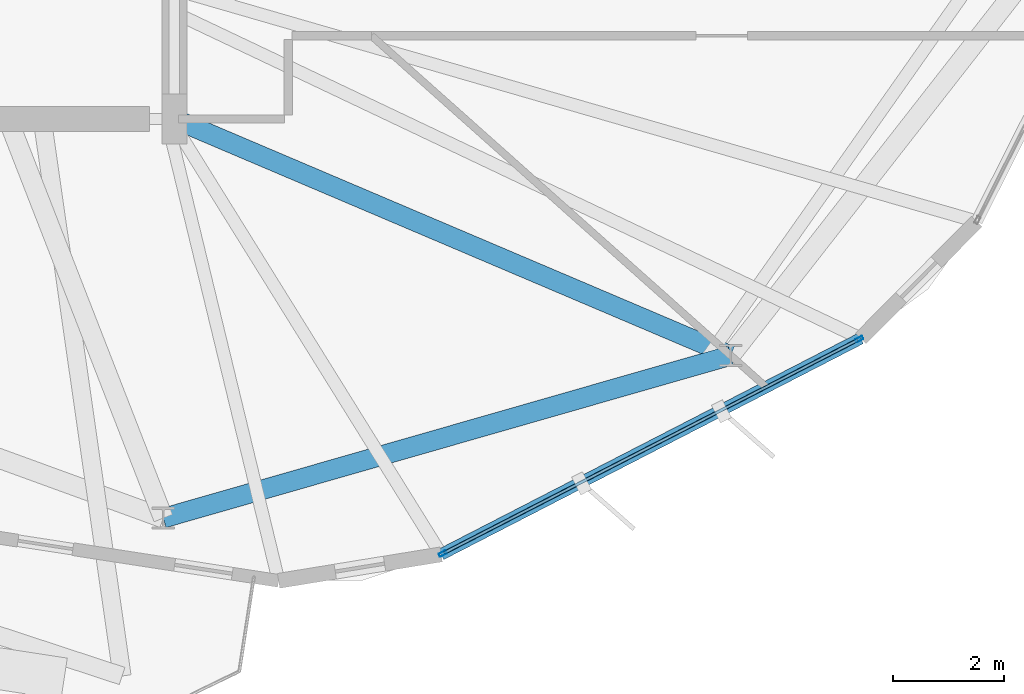
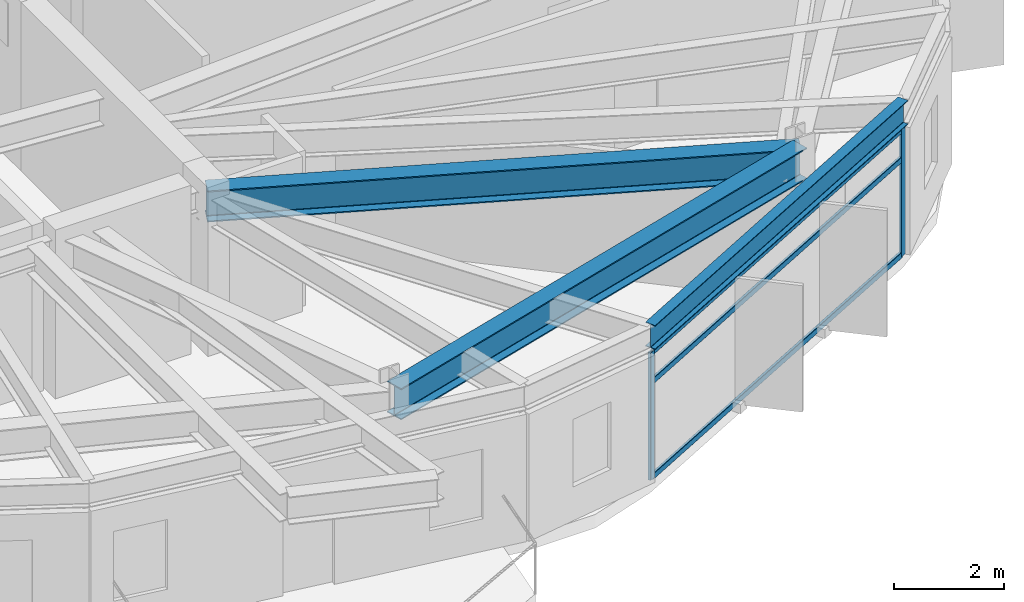
# One storey, part 5 of 22: 5 members, 3 beams, 1 element without a shape of its own.
"""IFC4 building model written with IfcOpenShell, lengths in metres."""

from ifc_helpers import new_model, si_unit, direction, frame, origin, origin_2d, place, context, subcontext, project, spatial, hollow_rectangle, i_section, extrude, material, layer, layer_set, material_profile, profile_set, type_object, element, aggregate, save


model = new_model("IFC4")

# Units and contexts
model_context = context("Model", 3, precision=1e-05, world=origin(), true_north=direction((0.0, 1.0)))
body_context = subcontext(model_context, "Body", "Model", "MODEL_VIEW")
ifc_project = project(units=[si_unit("LENGTHUNIT", "METRE"), si_unit("AREAUNIT", "SQUARE_METRE"), si_unit("VOLUMEUNIT", "CUBIC_METRE"), si_unit("PLANEANGLEUNIT", "RADIAN"), si_unit("MASSUNIT", "GRAM", prefix="KILO")], contexts=[model_context])

# Site, building, storey
site_placement = place(None, origin())
site = spatial("IfcSite", under=ifc_project, at=site_placement, CompositionType="ELEMENT")
building_placement = place(site_placement, origin())
building = spatial("IfcBuilding", under=site, at=building_placement, Name="Soratama Intermodal Tower", CompositionType="ELEMENT")
storey_placement = place(building_placement, frame((0.0, 0.0, 265.0)))
storey = spatial("IfcBuildingStorey", under=building, at=storey_placement, Name="L67", CompositionType="ELEMENT", Elevation=265.0)

# Beams
ifc_material_1 = material(Name="Structural steel ASTM A992 Grade 50", Category="steel")
ifc_material_profile_1 = material_profile(ifc_material_1, i_section(OverallWidth=0.35498046875, OverallDepth=0.695068359375, WebThickness=0.015380859375, FlangeThickness=0.02490234375, FilletRadius=0.01611328125, at=origin_2d()), Name="W27X146")
ifc_profile_set_1 = profile_set([ifc_material_profile_1], Name="Structural steel ASTM A992 Grade 50")
beam_type_1 = type_object("IfcBeamType", Name="BM-RING-W27X146", PredefinedType="BEAM", material=ifc_profile_set_1)
beam_1_placement = place(storey_placement, frame((44.39990234375, 7.81103515625, 3.1025390625), z_axis=(0.961262636932, 0.27563407416, 0.0), x_axis=(-0.27563407416, 0.961262636932, 0.0)))
element("IfcBeam", 1, at=beam_1_placement, inside=storey, type_object=beam_type_1, Name="BM-L67-RING-08", PredefinedType="BEAM", context=body_context, shape_type="SweptSolid", body=[
    extrude(i_section(OverallWidth=0.35498046875, OverallDepth=0.695068359375, WebThickness=0.015380859375, FlangeThickness=0.02490234375, FilletRadius=0.01611328125, at=origin_2d()), origin(), (0.0, 0.0, 1.0), 10.6298828125),
])
beam_2_placement = place(storey_placement, frame((44.60009765625, 15.0, 3.1025390625), z_axis=(0.920282671955, -0.391254142087, 0.0), x_axis=(0.391254142087, 0.920282671955, 0.0)))
element("IfcBeam", 2, at=beam_2_placement, inside=storey, type_object=beam_type_1, Name="BM-L67-RAD-09", PredefinedType="BEAM", context=body_context, shape_type="SweptSolid", body=[
    extrude(i_section(OverallWidth=0.35498046875, OverallDepth=0.695068359375, WebThickness=0.015380859375, FlangeThickness=0.02490234375, FilletRadius=0.01611328125, at=origin_2d()), origin(), (0.0, 0.0, 1.0), 10.885498046875),
])
ifc_material_2 = material(Name="Structural steel ASTM A992 Grade 50", Category="steel")
ifc_material_profile_2 = material_profile(ifc_material_2, i_section(OverallWidth=0.2099609375, OverallDepth=0.537109375, WebThickness=0.010986328125, FlangeThickness=0.017333984375, FilletRadius=0.012939453125, at=origin_2d()), Name="W21X68")
ifc_profile_set_2 = profile_set([ifc_material_profile_2], Name="Structural steel ASTM A992 Grade 50")
beam_type_2 = type_object("IfcBeamType", Name="BM-SPN-W21X68", PredefinedType="SPANDREL", material=ifc_profile_set_2)
beam_3_placement = place(storey_placement, frame((49.405029296875, 7.157958984375, 3.181396484375), z_axis=(0.889108822859, 0.457695860932, 0.0), x_axis=(-0.457695860932, 0.889108822859, 0.0)))
element("IfcBeam", 3, at=beam_3_placement, inside=storey, type_object=beam_type_2, Name="BS-L67-F07", PredefinedType="SPANDREL", context=body_context, shape_type="SweptSolid", body=[
    extrude(i_section(OverallWidth=0.2099609375, OverallDepth=0.537109375, WebThickness=0.010986328125, FlangeThickness=0.017333984375, FilletRadius=0.012939453125, at=origin_2d()), origin(), (0.0, 0.0, 1.0), 8.49951171875),
])

# Curtain wall, members
ifc_material_3 = material(Name="Double-glazed aluminium curtain wall", Category="aluminium")
ifc_layer = layer(ifc_material_3, 0.159912109375)
ifc_layer_set = layer_set([ifc_layer], Name="Double-glazed aluminium curtain wall")
curtain_wall_type = type_object("IfcCurtainWallType", Name="CW-SYS-5", PredefinedType="NOTDEFINED", material=ifc_layer_set)
curtain_wall_placement = place(storey_placement, origin())
curtain_wall = element("IfcCurtainWall", 4, at=curtain_wall_placement, inside=storey, type_object=curtain_wall_type, Name="L67 Faceted Curtain Wall F07", PredefinedType="NOTDEFINED")
ifc_material_4 = material(Name="Anodised aluminium AA 6063-T6", Category="aluminium")
ifc_material_profile_3 = material_profile(ifc_material_4, hollow_rectangle(XDim=0.06494140625, YDim=0.139892578125, WallThickness=0.0048828125, InnerFilletRadius=0.0048828125, OuterFilletRadius=0.010009765625, at=origin_2d()), Name="CWM140X65X5")
ifc_profile_set_3 = profile_set([ifc_material_profile_3], Name="Anodised aluminium AA 6063-T6")
member_type_1 = type_object("IfcMemberType", Name="MT-CWM-5", PredefinedType="MULLION", material=ifc_profile_set_3)
member_1_placement = place(storey_placement, frame((49.43212890625, 7.171630859375, 0.0), z_axis=(0.0, 0.0, 1.0), x_axis=(-0.457719342796, 0.889096734461, 0.0)))
member_1 = element("IfcMember", 5, at=member_1_placement, type_object=member_type_1, Name="CW-5 mullion 1", PredefinedType="MULLION", context=body_context, shape_type="SweptSolid", body=[
    extrude(hollow_rectangle(XDim=0.06494140625, YDim=0.139892578125, WallThickness=0.0048828125, InnerFilletRadius=0.0048828125, OuterFilletRadius=0.010009765625, at=origin_2d()), origin(), (0.0, 0.0, 1.0), 2.8291015625),
])
member_2_placement = place(storey_placement, frame((56.935791015625, 11.03466796875, 0.0), z_axis=(0.0, 0.0, 1.0), x_axis=(-0.457719342796, 0.889096734461, 0.0)))
member_2 = element("IfcMember", 6, at=member_2_placement, type_object=member_type_1, Name="CW-5 mullion 2", PredefinedType="MULLION", context=body_context, shape_type="SweptSolid", body=[
    extrude(hollow_rectangle(XDim=0.06494140625, YDim=0.139892578125, WallThickness=0.0048828125, InnerFilletRadius=0.0048828125, OuterFilletRadius=0.010009765625, at=origin_2d()), origin(), (0.0, 0.0, 1.0), 2.8291015625),
])
ifc_material_5 = material(Name="Anodised aluminium AA 6063-T6", Category="aluminium")
ifc_material_profile_4 = material_profile(ifc_material_5, hollow_rectangle(XDim=0.06005859375, YDim=0.1298828125, WallThickness=0.0048828125, InnerFilletRadius=0.0048828125, OuterFilletRadius=0.010009765625, at=origin_2d()), Name="CWT130X60X5")
ifc_profile_set_4 = profile_set([ifc_material_profile_4], Name="Anodised aluminium AA 6063-T6")
member_type_2 = type_object("IfcMemberType", Name="TT-CWT-2", PredefinedType="USERDEFINED", material=ifc_profile_set_4)
member_3_placement = place(storey_placement, frame((49.458740234375, 7.185302734375, 0.030029296875), z_axis=(0.889103555288, 0.457706093442, 0.0), x_axis=(-0.457706093442, 0.889103555288, 0.0)))
member_3 = element("IfcMember", 7, at=member_3_placement, type_object=member_type_2, Name="CW-5 transom 1.1", ObjectType="TRANSOM", PredefinedType="USERDEFINED", context=body_context, shape_type="SweptSolid", body=[
    extrude(hollow_rectangle(XDim=0.06005859375, YDim=0.1298828125, WallThickness=0.0048828125, InnerFilletRadius=0.0048828125, OuterFilletRadius=0.010009765625, at=origin_2d()), origin(), (0.0, 0.0, 1.0), 8.379638671875),
])
member_4_placement = place(storey_placement, frame((49.458740234375, 7.185302734375, 2.14990234375), z_axis=(0.889103555288, 0.457706093442, 0.0), x_axis=(-0.457706093442, 0.889103555288, 0.0)))
member_4 = element("IfcMember", 8, at=member_4_placement, type_object=member_type_2, Name="CW-5 transom 1.2", ObjectType="TRANSOM", PredefinedType="USERDEFINED", context=body_context, shape_type="SweptSolid", body=[
    extrude(hollow_rectangle(XDim=0.06005859375, YDim=0.1298828125, WallThickness=0.0048828125, InnerFilletRadius=0.0048828125, OuterFilletRadius=0.010009765625, at=origin_2d()), origin(), (0.0, 0.0, 1.0), 8.379638671875),
])
member_5_placement = place(storey_placement, frame((49.458740234375, 7.185302734375, 2.799072265625), z_axis=(0.889103555288, 0.457706093442, 0.0), x_axis=(-0.457706093442, 0.889103555288, 0.0)))
member_5 = element("IfcMember", 9, at=member_5_placement, type_object=member_type_2, Name="CW-5 transom 1.3", ObjectType="TRANSOM", PredefinedType="USERDEFINED", context=body_context, shape_type="SweptSolid", body=[
    extrude(hollow_rectangle(XDim=0.06005859375, YDim=0.1298828125, WallThickness=0.0048828125, InnerFilletRadius=0.0048828125, OuterFilletRadius=0.010009765625, at=origin_2d()), origin(), (0.0, 0.0, 1.0), 8.379638671875),
])
aggregate(curtain_wall, [member_1, member_2, member_3, member_4, member_5])

save(model, "model.ifc")
